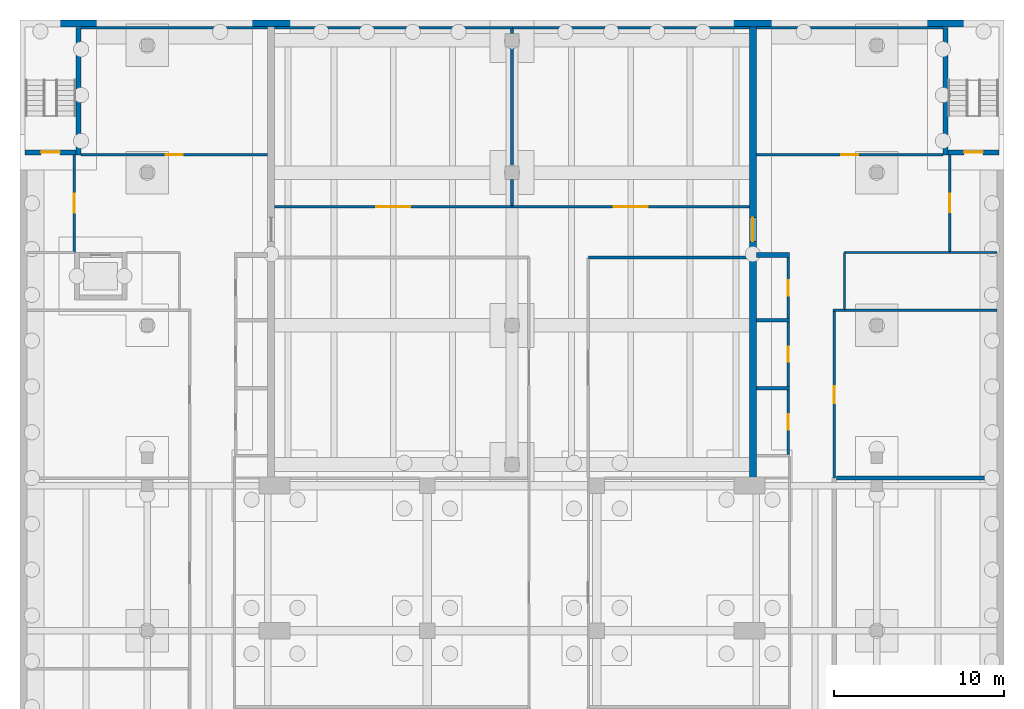
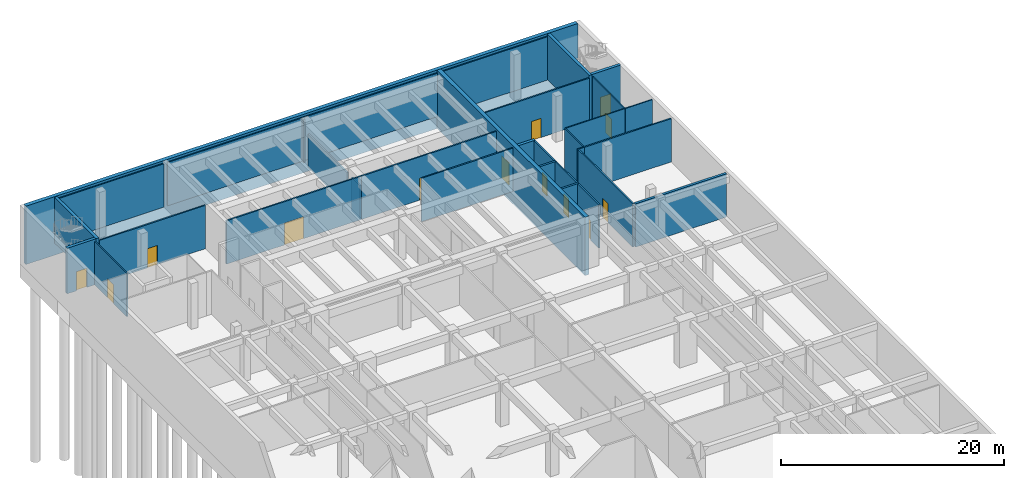
# One storey, part 15 of 19: 33 walls, 13 doors, 13 openings.
"""IFC4 building model written with IfcOpenShell, lengths in metres."""

from ifc_helpers import new_model, si_unit, direction, frame, frame_2d, origin, place, context, subcontext, project, spatial, rectangle, extrude, material, layer, layer_set, type_object, element, fill, save


model = new_model("IFC4")

# Units and contexts
model_context = context("Model", 3, precision=1e-05, world=origin(), true_north=direction((0.0, 1.0)))
body_context = subcontext(model_context, "Body", "Model", "MODEL_VIEW")
ifc_project = project(units=[si_unit("LENGTHUNIT", "METRE"), si_unit("AREAUNIT", "SQUARE_METRE"), si_unit("VOLUMEUNIT", "CUBIC_METRE"), si_unit("PLANEANGLEUNIT", "RADIAN"), si_unit("MASSUNIT", "GRAM", prefix="KILO")], contexts=[model_context])

# Site, building, storey
site_placement = place(None, origin())
site = spatial("IfcSite", under=ifc_project, at=site_placement, CompositionType="ELEMENT")
building_placement = place(site_placement, origin())
building = spatial("IfcBuilding", under=site, at=building_placement, Name="Elmora Arch Market Hall", CompositionType="ELEMENT")
storey_placement = place(building_placement, frame((0.0, 0.0, -10.0)))
storey = spatial("IfcBuildingStorey", under=building, at=storey_placement, Name="B1", CompositionType="ELEMENT", Elevation=-10.0)

# Wall
ifc_material_1 = material(Name="Concrete C40/50", Category="concrete")
ifc_layer_1 = layer(ifc_material_1, 0.39990234375)
ifc_layer_set_1 = layer_set([ifc_layer_1], Name="Concrete C40/50")
wall_type_1 = type_object("IfcWallType", Name="Basement wall 400", PredefinedType="SOLIDWALL", material=ifc_layer_set_1)
wall_1_placement = place(storey_placement, frame((0.39990234375, 125.800048828125, -1.39990234375), z_axis=(0.0, 0.0, 1.0), x_axis=(1.0, 0.0, 0.0)))
element("IfcWall", 1, at=wall_1_placement, inside=storey, type_object=wall_type_1, Name="Basement wall N B1", PredefinedType="SOLIDWALL", context=body_context, shape_type="SweptSolid", body=[
    extrude(rectangle(XDim=57.2001953125, YDim=0.39990234375, at=frame_2d((28.60009765625, 0.0))), origin(), (0.0, 0.0, 1.0), 6.39990234375),
])

# Wall, opening, door
ifc_material_2 = material(Name="Blockwork", Category="masonry")
ifc_layer_2 = layer(ifc_material_2, 0.14990234375)
ifc_layer_set_2 = layer_set([ifc_layer_2], Name="Blockwork")
wall_type_2 = type_object("IfcWallType", Name="Blockwork partition 150 EI 120", PredefinedType="PARTITIONING", material=ifc_layer_set_2)
wall_2_placement = place(storey_placement, frame((45.27490234375, 100.39990234375, 0.0), z_axis=(0.0, 0.0, 1.0), x_axis=(0.0, 1.0, 0.0)))
wall_2 = element("IfcWall", 2, at=wall_2_placement, inside=storey, type_object=wall_type_2, Name="Riser wall B1 18", PredefinedType="PARTITIONING", context=body_context, shape_type="SweptSolid", body=[
    extrude(rectangle(XDim=3.800048828125, YDim=0.14990234375, at=frame_2d((1.89990234375, 0.0))), origin(), (0.0, 0.0, 1.0), 4.75),
])
opening_1_placement = place(wall_2_placement, frame((1.449951171875, 0.0, 0.0)))
opening_1 = element("IfcOpeningElement", 3, at=opening_1_placement, cuts=wall_2, Name="Opening D-B1-031", PredefinedType="OPENING", context=body_context, shape_type="SweptSolid", body=[
    extrude(rectangle(XDim=0.89990234375, YDim=2.10009765625, at=frame_2d((0.449951171875, 1.050048828125))), frame((0.0, 0.0849609375, 0.0), z_axis=(0.0, -1.0, 0.0), x_axis=(1.0, 0.0, 0.0)), (0.0, 0.0, 1.0), 0.169921875),
])
ifc_material_3 = material(Name="Steel ASTM A653 galvanised", Category="steel")
door_type_1 = type_object("IfcDoorType", Name="Door 900 x 2100 FD90", OperationType="SINGLE_SWING_LEFT", PredefinedType="DOOR", material=ifc_material_3)
door_1_placement = place(opening_1_placement, origin())
door_1 = element("IfcDoor", 4, at=door_1_placement, inside=storey, type_object=door_type_1, Name="Riser access door D-B1-031", OperationType="SINGLE_SWING_LEFT", OverallHeight=2.10009765625, OverallWidth=0.89990234375, PredefinedType="DOOR", context=body_context, shape_type="SweptSolid", body=[
    extrude(rectangle(XDim=0.89990234375, YDim=2.10009765625, at=frame_2d((0.449951171875, 1.050048828125))), frame((0.0, 0.02490234375, 0.0), z_axis=(0.0, -1.0, 0.0), x_axis=(1.0, 0.0, 0.0)), (0.0, 0.0, 1.0), 0.050048828125),
])
fill(opening_1, door_1)

wall_3_placement = place(storey_placement, frame((45.27490234375, 104.39990234375, 0.0), z_axis=(0.0, 0.0, 1.0), x_axis=(0.0, 1.0, 0.0)))
wall_3 = element("IfcWall", 5, at=wall_3_placement, inside=storey, type_object=wall_type_2, Name="Riser wall B1 19", PredefinedType="PARTITIONING", context=body_context, shape_type="SweptSolid", body=[
    extrude(rectangle(XDim=3.800048828125, YDim=0.14990234375, at=frame_2d((1.89990234375, 0.0))), origin(), (0.0, 0.0, 1.0), 4.75),
])
opening_2_placement = place(wall_3_placement, frame((1.449951171875, 0.0, 0.0)))
opening_2 = element("IfcOpeningElement", 6, at=opening_2_placement, cuts=wall_3, Name="Opening D-B1-037", PredefinedType="OPENING", context=body_context, shape_type="SweptSolid", body=[
    extrude(rectangle(XDim=0.89990234375, YDim=2.10009765625, at=frame_2d((0.449951171875, 1.050048828125))), frame((0.0, 0.0849609375, 0.0), z_axis=(0.0, -1.0, 0.0), x_axis=(1.0, 0.0, 0.0)), (0.0, 0.0, 1.0), 0.169921875),
])
door_2_placement = place(opening_2_placement, origin())
door_2 = element("IfcDoor", 7, at=door_2_placement, inside=storey, type_object=door_type_1, Name="Riser access door D-B1-037", OperationType="SINGLE_SWING_LEFT", OverallHeight=2.10009765625, OverallWidth=0.89990234375, PredefinedType="DOOR", context=body_context, shape_type="SweptSolid", body=[
    extrude(rectangle(XDim=0.89990234375, YDim=2.10009765625, at=frame_2d((0.449951171875, 1.050048828125))), frame((0.0, 0.02490234375, 0.0), z_axis=(0.0, -1.0, 0.0), x_axis=(1.0, 0.0, 0.0)), (0.0, 0.0, 1.0), 0.050048828125),
])
fill(opening_2, door_2)

wall_4_placement = place(storey_placement, frame((45.27490234375, 108.39990234375, 0.0), z_axis=(0.0, 0.0, 1.0), x_axis=(0.0, 1.0, 0.0)))
wall_4 = element("IfcWall", 8, at=wall_4_placement, inside=storey, type_object=wall_type_2, Name="Riser wall B1 20", PredefinedType="PARTITIONING", context=body_context, shape_type="SweptSolid", body=[
    extrude(rectangle(XDim=3.60009765625, YDim=0.14990234375, at=frame_2d((1.800048828125, 0.0))), origin(), (0.0, 0.0, 1.0), 4.75),
])
opening_3_placement = place(wall_4_placement, frame((1.35009765625, 0.0, 0.0)))
opening_3 = element("IfcOpeningElement", 9, at=opening_3_placement, cuts=wall_4, Name="Opening D-B1-039", PredefinedType="OPENING", context=body_context, shape_type="SweptSolid", body=[
    extrude(rectangle(XDim=0.89990234375, YDim=2.10009765625, at=frame_2d((0.449951171875, 1.050048828125))), frame((0.0, 0.0849609375, 0.0), z_axis=(0.0, -1.0, 0.0), x_axis=(1.0, 0.0, 0.0)), (0.0, 0.0, 1.0), 0.169921875),
])
door_3_placement = place(opening_3_placement, origin())
door_3 = element("IfcDoor", 10, at=door_3_placement, inside=storey, type_object=door_type_1, Name="Riser access door D-B1-039", OperationType="SINGLE_SWING_LEFT", OverallHeight=2.10009765625, OverallWidth=0.89990234375, PredefinedType="DOOR", context=body_context, shape_type="SweptSolid", body=[
    extrude(rectangle(XDim=0.89990234375, YDim=2.10009765625, at=frame_2d((0.449951171875, 1.050048828125))), frame((0.0, 0.02490234375, 0.0), z_axis=(0.0, -1.0, 0.0), x_axis=(1.0, 0.0, 0.0)), (0.0, 0.0, 1.0), 0.050048828125),
])
fill(opening_3, door_3)

# Walls
wall_5_placement = place(storey_placement, frame((47.925048828125, 108.89990234375, 0.0), z_axis=(0.0, 0.0, 1.0), x_axis=(1.0, 0.0, 0.0)))
element("IfcWall", 11, at=wall_5_placement, inside=storey, type_object=wall_type_2, Name="Partition PT-B1-046", PredefinedType="PARTITIONING", context=body_context, shape_type="SweptSolid", body=[
    extrude(rectangle(XDim=0.675048828125, YDim=0.14990234375, at=frame_2d((0.33740234375, 0.0))), origin(), (0.0, 0.0, 1.0), 4.75),
])
wall_6_placement = place(storey_placement, frame((48.60009765625, 108.89990234375, 0.0), z_axis=(0.0, 0.0, 1.0), x_axis=(1.0, 0.0, 0.0)))
element("IfcWall", 12, at=wall_6_placement, inside=storey, type_object=wall_type_2, Name="Partition PT-B1-047", PredefinedType="PARTITIONING", context=body_context, shape_type="SweptSolid", body=[
    extrude(rectangle(XDim=9.0, YDim=0.14990234375, at=frame_2d((4.5, 0.0))), origin(), (0.0, 0.0, 1.0), 4.75),
])
wall_7_placement = place(storey_placement, frame((33.510009765625, 112.0, 0.0), z_axis=(0.0, 0.0, 1.0), x_axis=(1.0, 0.0, 0.0)))
element("IfcWall", 13, at=wall_7_placement, inside=storey, type_object=wall_type_2, Name="Partition PT-B1-049", PredefinedType="PARTITIONING", context=body_context, shape_type="SweptSolid", body=[
    extrude(rectangle(XDim=9.489990234375, YDim=0.14990234375, at=frame_2d((4.7451171875, 0.0))), origin(), (0.0, 0.0, 1.0), 4.75),
])

# Wall, opening, door
wall_8_placement = place(storey_placement, frame((15.0, 115.0, 0.0), z_axis=(0.0, 0.0, 1.0), x_axis=(1.0, 0.0, 0.0)))
wall_8 = element("IfcWall", 14, at=wall_8_placement, inside=storey, type_object=wall_type_2, Name="Partition PT-B1-054", PredefinedType="PARTITIONING", context=body_context, shape_type="SweptSolid", body=[
    extrude(rectangle(XDim=14.0, YDim=0.14990234375, at=frame_2d((7.0, 0.0))), origin(), (0.0, 0.0, 1.0), 4.75),
])
opening_4_placement = place(wall_8_placement, frame((6.0, 0.0, 0.0)))
opening_4 = element("IfcOpeningElement", 15, at=opening_4_placement, cuts=wall_8, Name="Opening D-B1-042", PredefinedType="OPENING", context=body_context, shape_type="SweptSolid", body=[
    extrude(rectangle(XDim=2.0, YDim=2.39990234375, at=frame_2d((1.0, 1.199951171875))), frame((0.0, 0.0849609375, 0.0), z_axis=(0.0, -1.0, 0.0), x_axis=(1.0, 0.0, 0.0)), (0.0, 0.0, 1.0), 0.169921875),
])
ifc_material_4 = material(Name="Steel ASTM A653 galvanised", Category="steel")
door_type_2 = type_object("IfcDoorType", Name="Double door 2000 x 2400 FD90", OperationType="DOUBLE_DOOR_SINGLE_SWING", PredefinedType="DOOR", material=ifc_material_4)
door_4_placement = place(opening_4_placement, origin())
door_4 = element("IfcDoor", 16, at=door_4_placement, inside=storey, type_object=door_type_2, Name="D-B1-042", OperationType="DOUBLE_DOOR_SINGLE_SWING", OverallHeight=2.39990234375, OverallWidth=2.0, PredefinedType="DOOR", context=body_context, shape_type="SweptSolid", body=[
    extrude(rectangle(XDim=2.0, YDim=2.39990234375, at=frame_2d((1.0, 1.199951171875))), frame((0.0, 0.02490234375, 0.0), z_axis=(0.0, -1.0, 0.0), x_axis=(1.0, 0.0, 0.0)), (0.0, 0.0, 1.0), 0.050048828125),
])
fill(opening_4, door_4)

wall_9_placement = place(storey_placement, frame((29.0, 115.0, 0.0), z_axis=(0.0, 0.0, 1.0), x_axis=(1.0, 0.0, 0.0)))
wall_9 = element("IfcWall", 17, at=wall_9_placement, inside=storey, type_object=wall_type_2, Name="Partition PT-B1-055", PredefinedType="PARTITIONING", context=body_context, shape_type="SweptSolid", body=[
    extrude(rectangle(XDim=14.0, YDim=0.14990234375, at=frame_2d((7.0, 0.0))), origin(), (0.0, 0.0, 1.0), 4.75),
])
opening_5_placement = place(wall_9_placement, frame((6.0, 0.0, 0.0)))
opening_5 = element("IfcOpeningElement", 18, at=opening_5_placement, cuts=wall_9, Name="Opening D-B1-043", PredefinedType="OPENING", context=body_context, shape_type="SweptSolid", body=[
    extrude(rectangle(XDim=2.0, YDim=2.39990234375, at=frame_2d((1.0, 1.199951171875))), frame((0.0, 0.0849609375, 0.0), z_axis=(0.0, -1.0, 0.0), x_axis=(1.0, 0.0, 0.0)), (0.0, 0.0, 1.0), 0.169921875),
])
door_5_placement = place(opening_5_placement, origin())
door_5 = element("IfcDoor", 19, at=door_5_placement, inside=storey, type_object=door_type_2, Name="D-B1-043", OperationType="DOUBLE_DOOR_SINGLE_SWING", OverallHeight=2.39990234375, OverallWidth=2.0, PredefinedType="DOOR", context=body_context, shape_type="SweptSolid", body=[
    extrude(rectangle(XDim=2.0, YDim=2.39990234375, at=frame_2d((1.0, 1.199951171875))), frame((0.0, 0.02490234375, 0.0), z_axis=(0.0, -1.0, 0.0), x_axis=(1.0, 0.0, 0.0)), (0.0, 0.0, 1.0), 0.050048828125),
])
fill(opening_5, door_5)

wall_10_placement = place(storey_placement, frame((3.60009765625, 118.050048828125, 0.0), z_axis=(0.0, 0.0, 1.0), x_axis=(1.0, 0.0, 0.0)))
wall_10 = element("IfcWall", 20, at=wall_10_placement, inside=storey, type_object=wall_type_2, Name="Partition PT-B1-056", PredefinedType="PARTITIONING", context=body_context, shape_type="SweptSolid", body=[
    extrude(rectangle(XDim=11.0, YDim=0.14990234375, at=frame_2d((5.5, 0.0))), origin(), (0.0, 0.0, 1.0), 4.75),
])
opening_6_placement = place(wall_10_placement, frame((5.0, 0.0, 0.0)))
opening_6 = element("IfcOpeningElement", 21, at=opening_6_placement, cuts=wall_10, Name="Opening D-B1-046", PredefinedType="OPENING", context=body_context, shape_type="SweptSolid", body=[
    extrude(rectangle(XDim=1.0, YDim=2.10009765625, at=frame_2d((0.5, 1.050048828125))), frame((0.0, 0.0849609375, 0.0), z_axis=(0.0, -1.0, 0.0), x_axis=(1.0, 0.0, 0.0)), (0.0, 0.0, 1.0), 0.169921875),
])
ifc_material_5 = material(Name="Steel ASTM A653 galvanised", Category="steel")
door_type_3 = type_object("IfcDoorType", Name="Door 1000 x 2100 FD90", OperationType="SINGLE_SWING_LEFT", PredefinedType="DOOR", material=ifc_material_5)
door_6_placement = place(opening_6_placement, origin())
door_6 = element("IfcDoor", 22, at=door_6_placement, inside=storey, type_object=door_type_3, Name="D-B1-046", OperationType="SINGLE_SWING_LEFT", OverallHeight=2.10009765625, OverallWidth=1.0, PredefinedType="DOOR", context=body_context, shape_type="SweptSolid", body=[
    extrude(rectangle(XDim=1.0, YDim=2.10009765625, at=frame_2d((0.5, 1.050048828125))), frame((0.0, 0.02490234375, 0.0), z_axis=(0.0, -1.0, 0.0), x_axis=(1.0, 0.0, 0.0)), (0.0, 0.0, 1.0), 0.050048828125),
])
fill(opening_6, door_6)

wall_11_placement = place(storey_placement, frame((43.39990234375, 118.050048828125, 0.0), z_axis=(0.0, 0.0, 1.0), x_axis=(1.0, 0.0, 0.0)))
wall_11 = element("IfcWall", 23, at=wall_11_placement, inside=storey, type_object=wall_type_2, Name="Partition PT-B1-057", PredefinedType="PARTITIONING", context=body_context, shape_type="SweptSolid", body=[
    extrude(rectangle(XDim=11.0, YDim=0.14990234375, at=frame_2d((5.5, 0.0))), origin(), (0.0, 0.0, 1.0), 4.75),
])
opening_7_placement = place(wall_11_placement, frame((5.0, 0.0, 0.0)))
opening_7 = element("IfcOpeningElement", 24, at=opening_7_placement, cuts=wall_11, Name="Opening D-B1-047", PredefinedType="OPENING", context=body_context, shape_type="SweptSolid", body=[
    extrude(rectangle(XDim=1.0, YDim=2.10009765625, at=frame_2d((0.5, 1.050048828125))), frame((0.0, 0.0849609375, 0.0), z_axis=(0.0, -1.0, 0.0), x_axis=(1.0, 0.0, 0.0)), (0.0, 0.0, 1.0), 0.169921875),
])
door_7_placement = place(opening_7_placement, origin())
door_7 = element("IfcDoor", 25, at=door_7_placement, inside=storey, type_object=door_type_3, Name="D-B1-047", OperationType="SINGLE_SWING_LEFT", OverallHeight=2.10009765625, OverallWidth=1.0, PredefinedType="DOOR", context=body_context, shape_type="SweptSolid", body=[
    extrude(rectangle(XDim=1.0, YDim=2.10009765625, at=frame_2d((0.5, 1.050048828125))), frame((0.0, 0.02490234375, 0.0), z_axis=(0.0, -1.0, 0.0), x_axis=(1.0, 0.0, 0.0)), (0.0, 0.0, 1.0), 0.050048828125),
])
fill(opening_7, door_7)

# Walls
wall_12_placement = place(storey_placement, frame((3.60009765625, 125.550048828125, 0.0), z_axis=(0.0, 0.0, 1.0), x_axis=(1.0, 0.0, 0.0)))
element("IfcWall", 26, at=wall_12_placement, inside=storey, type_object=wall_type_2, Name="Partition PT-B1-058", PredefinedType="PARTITIONING", context=body_context, shape_type="SweptSolid", body=[
    extrude(rectangle(XDim=11.0, YDim=0.14990234375, at=frame_2d((5.5, 0.0))), origin(), (0.0, 0.0, 1.0), 4.75),
])
for number, where, z_axis, x_axis, name in (
    (27, (15.0, 125.550048828125, 0.0), (0.0, 0.0, 1.0), (1.0, 0.0, 0.0), "Partition PT-B1-059"),
    (28, (28.969970703125, 125.550048828125, 0.0), (0.0, 0.0, 1.0), (1.0, 0.0, 0.0), "Partition PT-B1-060"),
):
    element("IfcWall", number, at=place(storey_placement, frame(where, z_axis=z_axis, x_axis=x_axis)), inside=storey, type_object=wall_type_2, Name=name, PredefinedType="PARTITIONING", context=body_context, shape_type="SweptSolid", body=[
        extrude(rectangle(XDim=14.030029296875, YDim=0.14990234375, at=frame_2d((7.01513671875, 0.0))), origin(), (0.0, 0.0, 1.0), 4.75),
    ])
wall_13_placement = place(storey_placement, frame((43.39990234375, 125.550048828125, 0.0), z_axis=(0.0, 0.0, 1.0), x_axis=(1.0, 0.0, 0.0)))
element("IfcWall", 29, at=wall_13_placement, inside=storey, type_object=wall_type_2, Name="Partition PT-B1-061", PredefinedType="PARTITIONING", context=body_context, shape_type="SweptSolid", body=[
    extrude(rectangle(XDim=11.0, YDim=0.14990234375, at=frame_2d((5.5, 0.0))), origin(), (0.0, 0.0, 1.0), 4.75),
])
wall_14_placement = place(storey_placement, frame((29.0, 115.074951171875, 0.0), z_axis=(0.0, 0.0, 1.0), x_axis=(0.0, 1.0, 0.0)))
element("IfcWall", 30, at=wall_14_placement, inside=storey, type_object=wall_type_2, Name="Partition PT-B1-083-86", PredefinedType="PARTITIONING", context=body_context, shape_type="SweptSolid", body=[
    extrude(rectangle(XDim=1.525146484375, YDim=0.14990234375, at=frame_2d((0.7626953125, 0.0))), origin(), (0.0, 0.0, 1.0), 3.64990234375),
])
wall_15_placement = place(storey_placement, frame((29.0, 117.39990234375, 0.0), z_axis=(0.0, 0.0, 1.0), x_axis=(0.0, 1.0, 0.0)))
element("IfcWall", 31, at=wall_15_placement, inside=storey, type_object=wall_type_2, Name="Partition PT-B1-083-87", PredefinedType="PARTITIONING", context=body_context, shape_type="SweptSolid", body=[
    extrude(rectangle(XDim=7.0, YDim=0.14990234375, at=frame_2d((3.5, 0.0))), origin(), (0.0, 0.0, 1.0), 3.64990234375),
])
wall_16_placement = place(storey_placement, frame((29.0, 125.199951171875, 0.0), z_axis=(0.0, 0.0, 1.0), x_axis=(0.0, 1.0, 0.0)))
element("IfcWall", 32, at=wall_16_placement, inside=storey, type_object=wall_type_2, Name="Partition PT-B1-083-88", PredefinedType="PARTITIONING", context=body_context, shape_type="SweptSolid", body=[
    extrude(rectangle(XDim=0.275146484375, YDim=0.14990234375, at=frame_2d((0.1376953125, 0.0))), origin(), (0.0, 0.0, 1.0), 4.75),
])

# Wall, opening, door
wall_17_placement = place(storey_placement, frame((48.0, 99.0, 0.0), z_axis=(0.0, 0.0, 1.0), x_axis=(0.0, 1.0, 0.0)))
wall_17 = element("IfcWall", 33, at=wall_17_placement, inside=storey, type_object=wall_type_2, Name="Partition PT-B1-106", PredefinedType="PARTITIONING", context=body_context, shape_type="SweptSolid", body=[
    extrude(rectangle(XDim=9.824951171875, YDim=0.14990234375, at=frame_2d((4.91259765625, 0.0))), origin(), (0.0, 0.0, 1.0), 4.75),
])
opening_8_placement = place(wall_17_placement, frame((4.39990234375, 0.0, 0.0)))
opening_8 = element("IfcOpeningElement", 34, at=opening_8_placement, cuts=wall_17, Name="Opening D-B1-033", PredefinedType="OPENING", context=body_context, shape_type="SweptSolid", body=[
    extrude(rectangle(XDim=1.0, YDim=2.10009765625, at=frame_2d((0.5, 1.050048828125))), frame((0.0, 0.0849609375, 0.0), z_axis=(0.0, -1.0, 0.0), x_axis=(1.0, 0.0, 0.0)), (0.0, 0.0, 1.0), 0.169921875),
])
door_8_placement = place(opening_8_placement, frame((1.0, 0.0, 0.0), z_axis=(0.0, 0.0, 1.0), x_axis=(-1.0, 0.0, 0.0)))
door_8 = element("IfcDoor", 35, at=door_8_placement, inside=storey, type_object=door_type_3, Name="D-B1-033", OperationType="SINGLE_SWING_RIGHT", OverallHeight=2.10009765625, OverallWidth=1.0, PredefinedType="DOOR", context=body_context, shape_type="SweptSolid", body=[
    extrude(rectangle(XDim=1.0, YDim=2.10009765625, at=frame_2d((0.5, 1.050048828125))), frame((0.0, 0.02490234375, 0.0), z_axis=(0.0, -1.0, 0.0), x_axis=(1.0, 0.0, 0.0)), (0.0, 0.0, 1.0), 0.050048828125),
])
fill(opening_8, door_8)

# Walls
ifc_material_6 = material(Name="Blockwork", Category="masonry")
ifc_layer_3 = layer(ifc_material_6, 0.199951171875)
ifc_layer_set_3 = layer_set([ifc_layer_3], Name="Blockwork")
wall_type_3 = type_object("IfcWallType", Name="Blockwork partition 200 EI 120", PredefinedType="PARTITIONING", material=ifc_layer_set_3)
for number, where, z_axis, x_axis, name in (
    (36, (43.39990234375, 104.300048828125, 0.0), (0.0, 0.0, 1.0), (1.0, 0.0, 0.0), "Riser wall B1 15"),
    (37, (43.39990234375, 108.300048828125, 0.0), (0.0, 0.0, 1.0), (1.0, 0.0, 0.0), "Riser wall B1 16"),
):
    element("IfcWall", number, at=place(storey_placement, frame(where, z_axis=z_axis, x_axis=x_axis)), inside=storey, type_object=wall_type_3, Name=name, PredefinedType="PARTITIONING", context=body_context, shape_type="SweptSolid", body=[
        extrude(rectangle(XDim=1.9501953125, YDim=0.199951171875, at=frame_2d((0.97509765625, 0.0))), origin(), (0.0, 0.0, 1.0), 4.75),
    ])
ifc_material_7 = material(Name="Blockwork", Category="masonry")
ifc_layer_4 = layer(ifc_material_7, 0.25)
ifc_layer_set_4 = layer_set([ifc_layer_4], Name="Blockwork")
wall_type_4 = type_object("IfcWallType", Name="Blockwork partition 250 EI 120", PredefinedType="PARTITIONING", material=ifc_layer_set_4)
wall_18_placement = place(storey_placement, frame((48.125, 99.0, 0.0), z_axis=(0.0, 0.0, 1.0), x_axis=(1.0, 0.0, 0.0)))
element("IfcWall", 38, at=wall_18_placement, inside=storey, type_object=wall_type_4, Name="Partition PT-B1-043", PredefinedType="PARTITIONING", context=body_context, shape_type="SweptSolid", body=[
    extrude(rectangle(XDim=9.47509765625, YDim=0.25, at=frame_2d((4.737548828125, 0.0))), origin(), (0.0, 0.0, 1.0), 4.75),
])
ifc_material_8 = material(Name="Blockwork", Category="masonry")
ifc_layer_5 = layer(ifc_material_8, 0.300048828125)
ifc_layer_set_5 = layer_set([ifc_layer_5], Name="Blockwork")
wall_type_5 = type_object("IfcWallType", Name="Blockwork partition 300 EI 120", PredefinedType="PARTITIONING", material=ifc_layer_set_5)
wall_19_placement = place(storey_placement, frame((43.39990234375, 112.14990234375, 0.0), z_axis=(0.0, 0.0, 1.0), x_axis=(1.0, 0.0, 0.0)))
element("IfcWall", 39, at=wall_19_placement, inside=storey, type_object=wall_type_5, Name="Riser wall B1 17", PredefinedType="PARTITIONING", context=body_context, shape_type="SweptSolid", body=[
    extrude(rectangle(XDim=1.9501953125, YDim=0.300048828125, at=frame_2d((0.97509765625, 0.0))), origin(), (0.0, 0.0, 1.0), 4.75),
])
ifc_material_9 = material(Name="Gypsum board on metal studs")
ifc_layer_6 = layer(ifc_material_9, 0.10009765625)
ifc_layer_set_6 = layer_set([ifc_layer_6], Name="Gypsum board on metal studs")
wall_type_6 = type_object("IfcWallType", Name="Partition 100", PredefinedType="PARTITIONING", material=ifc_layer_set_6)
wall_20_placement = place(storey_placement, frame((48.610107421875, 112.300048828125, 0.0), z_axis=(0.0, 0.0, 1.0), x_axis=(1.0, 0.0, 0.0)))
element("IfcWall", 40, at=wall_20_placement, inside=storey, type_object=wall_type_6, Name="Partition PT-B1-052", PredefinedType="PARTITIONING", context=body_context, shape_type="SweptSolid", body=[
    extrude(rectangle(XDim=6.18994140625, YDim=0.10009765625, at=frame_2d((3.094970703125, 0.0))), origin(), (0.0, 0.0, 1.0), 4.75),
])
wall_21_placement = place(storey_placement, frame((48.60009765625, 108.97509765625, 0.0), z_axis=(0.0, 0.0, 1.0), x_axis=(0.0, 1.0, 0.0)))
element("IfcWall", 41, at=wall_21_placement, inside=storey, type_object=wall_type_6, Name="Partition PT-B1-107", PredefinedType="PARTITIONING", context=body_context, shape_type="SweptSolid", body=[
    extrude(rectangle(XDim=3.31494140625, YDim=0.10009765625, at=frame_2d((1.657470703125, 0.0))), origin(), (0.0, 0.0, 1.0), 4.75),
])
ifc_material_10 = material(Name="Gypsum board on metal studs")
ifc_layer_7 = layer(ifc_material_10, 0.125)
ifc_layer_set_7 = layer_set([ifc_layer_7], Name="Gypsum board on metal studs")
wall_type_7 = type_object("IfcWallType", Name="Partition 125 EI 60", PredefinedType="PARTITIONING", material=ifc_layer_set_7)
wall_22_placement = place(storey_placement, frame((54.800048828125, 112.300048828125, 0.0), z_axis=(0.0, 0.0, 1.0), x_axis=(1.0, 0.0, 0.0)))
element("IfcWall", 42, at=wall_22_placement, inside=storey, type_object=wall_type_7, Name="Partition PT-B1-053", PredefinedType="PARTITIONING", context=body_context, shape_type="SweptSolid", body=[
    extrude(rectangle(XDim=2.800048828125, YDim=0.125, at=frame_2d((1.39990234375, 0.0))), origin(), (0.0, 0.0, 1.0), 4.75),
])

# Wall, opening, door
wall_23_placement = place(storey_placement, frame((3.199951171875, 112.300048828125, 0.0), z_axis=(0.0, 0.0, 1.0), x_axis=(0.0, 1.0, 0.0)))
wall_23 = element("IfcWall", 43, at=wall_23_placement, inside=storey, type_object=wall_type_7, Name="Partition PT-B1-062", PredefinedType="PARTITIONING", context=body_context, shape_type="SweptSolid", body=[
    extrude(rectangle(XDim=5.75, YDim=0.125, at=frame_2d((2.875, 0.0))), origin(), (0.0, 0.0, 1.0), 4.75),
])
opening_9_placement = place(wall_23_placement, frame((2.35009765625, 0.0, 0.0)))
opening_9 = element("IfcOpeningElement", 44, at=opening_9_placement, cuts=wall_23, Name="Opening D-B1-044", PredefinedType="OPENING", context=body_context, shape_type="SweptSolid", body=[
    extrude(rectangle(XDim=1.10009765625, YDim=2.10009765625, at=frame_2d((0.550048828125, 1.050048828125))), frame((0.0, 0.072509765625, 0.0), z_axis=(0.0, -1.0, 0.0), x_axis=(1.0, 0.0, 0.0)), (0.0, 0.0, 1.0), 0.14501953125),
])
ifc_material_11 = material(Name="Steel ASTM A653 galvanised", Category="steel")
door_type_4 = type_object("IfcDoorType", Name="Door 1100 x 2100 FD60", OperationType="SINGLE_SWING_LEFT", PredefinedType="DOOR", material=ifc_material_11)
door_9_placement = place(opening_9_placement, origin())
door_9 = element("IfcDoor", 45, at=door_9_placement, inside=storey, type_object=door_type_4, Name="D-B1-044", OperationType="SINGLE_SWING_LEFT", OverallHeight=2.10009765625, OverallWidth=1.10009765625, PredefinedType="DOOR", context=body_context, shape_type="SweptSolid", body=[
    extrude(rectangle(XDim=1.10009765625, YDim=2.10009765625, at=frame_2d((0.550048828125, 1.050048828125))), frame((0.0, 0.02490234375, 0.0), z_axis=(0.0, -1.0, 0.0), x_axis=(1.0, 0.0, 0.0)), (0.0, 0.0, 1.0), 0.050048828125),
])
fill(opening_9, door_9)

wall_24_placement = place(storey_placement, frame((54.800048828125, 112.362548828125, 0.0), z_axis=(0.0, 0.0, 1.0), x_axis=(0.0, 1.0, 0.0)))
wall_24 = element("IfcWall", 46, at=wall_24_placement, inside=storey, type_object=wall_type_7, Name="Partition PT-B1-109", PredefinedType="PARTITIONING", context=body_context, shape_type="SweptSolid", body=[
    extrude(rectangle(XDim=5.6875, YDim=0.125, at=frame_2d((2.84375, 0.0))), origin(), (0.0, 0.0, 1.0), 4.75),
])
opening_10_placement = place(wall_24_placement, frame((2.300048828125, 0.0, 0.0)))
opening_10 = element("IfcOpeningElement", 47, at=opening_10_placement, cuts=wall_24, Name="Opening D-B1-045", PredefinedType="OPENING", context=body_context, shape_type="SweptSolid", body=[
    extrude(rectangle(XDim=1.10009765625, YDim=2.10009765625, at=frame_2d((0.550048828125, 1.050048828125))), frame((0.0, 0.072509765625, 0.0), z_axis=(0.0, -1.0, 0.0), x_axis=(1.0, 0.0, 0.0)), (0.0, 0.0, 1.0), 0.14501953125),
])
door_10_placement = place(opening_10_placement, frame((1.10009765625, 0.0, 0.0), z_axis=(0.0, 0.0, 1.0), x_axis=(-1.0, 0.0, 0.0)))
door_10 = element("IfcDoor", 48, at=door_10_placement, inside=storey, type_object=door_type_4, Name="D-B1-045", OperationType="SINGLE_SWING_LEFT", OverallHeight=2.10009765625, OverallWidth=1.10009765625, PredefinedType="DOOR", context=body_context, shape_type="SweptSolid", body=[
    extrude(rectangle(XDim=1.10009765625, YDim=2.10009765625, at=frame_2d((0.550048828125, 1.050048828125))), frame((0.0, 0.02490234375, 0.0), z_axis=(0.0, -1.0, 0.0), x_axis=(1.0, 0.0, 0.0)), (0.0, 0.0, 1.0), 0.050048828125),
])
fill(opening_10, door_10)

ifc_material_12 = material(Name="Concrete C40/50", Category="concrete")
ifc_layer_8 = layer(ifc_material_12, 0.39990234375)
ifc_layer_set_8 = layer_set([ifc_layer_8], Name="Concrete C40/50")
wall_type_8 = type_object("IfcWallType", Name="Spine wall 400", PredefinedType="SHEAR", material=ifc_layer_set_8)
wall_25_placement = place(storey_placement, frame((43.199951171875, 99.0, -1.39990234375), z_axis=(0.0, 0.0, 1.0), x_axis=(0.0, 1.0, 0.0)))
wall_25 = element("IfcWall", 49, at=wall_25_placement, inside=storey, type_object=wall_type_8, Name="Spine wall E B1", PredefinedType="SHEAR", context=body_context, shape_type="SweptSolid", body=[
    extrude(rectangle(XDim=26.60009765625, YDim=0.39990234375, at=frame_2d((13.300048828125, 0.0))), origin(), (0.0, 0.0, 1.0), 6.39990234375),
])
opening_11_placement = place(wall_25_placement, frame((13.949951171875, 0.0, 1.39990234375)))
opening_11 = element("IfcOpeningElement", 50, at=opening_11_placement, cuts=wall_25, Name="Opening D-B1-041", PredefinedType="OPENING", context=body_context, shape_type="SweptSolid", body=[
    extrude(rectangle(XDim=1.39990234375, YDim=2.39990234375, at=frame_2d((0.699951171875, 1.199951171875))), frame((0.0, 0.2099609375, 0.0), z_axis=(0.0, -1.0, 0.0), x_axis=(1.0, 0.0, 0.0)), (0.0, 0.0, 1.0), 0.419921875),
])
ifc_material_13 = material(Name="Timber door set", Category="wood")
door_type_5 = type_object("IfcDoorType", Name="Door 1400 x 2400", OperationType="SINGLE_SWING_LEFT", PredefinedType="DOOR", material=ifc_material_13)
door_11_placement = place(opening_11_placement, frame((1.39990234375, 0.0, 0.0), z_axis=(0.0, 0.0, 1.0), x_axis=(-1.0, 0.0, 0.0)))
door_11 = element("IfcDoor", 51, at=door_11_placement, inside=storey, type_object=door_type_5, Name="D-B1-041", OperationType="SINGLE_SWING_RIGHT", OverallHeight=2.39990234375, OverallWidth=1.39990234375, PredefinedType="DOOR", context=body_context, shape_type="SweptSolid", body=[
    extrude(rectangle(XDim=1.39990234375, YDim=2.39990234375, at=frame_2d((0.699951171875, 1.199951171875))), frame((0.0, 0.02490234375, 0.0), z_axis=(0.0, -1.0, 0.0), x_axis=(1.0, 0.0, 0.0)), (0.0, 0.0, 1.0), 0.050048828125),
])
fill(opening_11, door_11)

# Wall
ifc_material_14 = material(Name="Concrete C40/50", Category="concrete")
ifc_layer_9 = layer(ifc_material_14, 0.300048828125)
ifc_layer_set_9 = layer_set([ifc_layer_9], Name="Concrete C40/50")
wall_type_9 = type_object("IfcWallType", Name="Stair wall 300", PredefinedType="SHEAR", material=ifc_layer_set_9)
wall_26_placement = place(storey_placement, frame((3.449951171875, 118.050048828125, 0.0), z_axis=(0.0, 0.0, 1.0), x_axis=(0.0, 1.0, 0.0)))
element("IfcWall", 52, at=wall_26_placement, inside=storey, type_object=wall_type_9, Name="Stair wall ST-W E B1", PredefinedType="SHEAR", context=body_context, shape_type="SweptSolid", body=[
    extrude(rectangle(XDim=7.5, YDim=0.300048828125, at=frame_2d((3.75, 0.0))), origin(), (0.0, 0.0, 1.0), 5.0),
])

# Wall, opening, door
wall_27_placement = place(storey_placement, frame((0.300048828125, 118.199951171875, 0.0), z_axis=(0.0, 0.0, 1.0), x_axis=(1.0, 0.0, 0.0)))
wall_27 = element("IfcWall", 53, at=wall_27_placement, inside=storey, type_object=wall_type_9, Name="Stair wall ST-W S B1", PredefinedType="SHEAR", context=body_context, shape_type="SweptSolid", body=[
    extrude(rectangle(XDim=3.0, YDim=0.300048828125, at=frame_2d((1.5, 0.0))), origin(), (0.0, 0.0, 1.0), 5.0),
])
opening_12_placement = place(wall_27_placement, frame((0.949951171875, 0.0, 0.0)))
opening_12 = element("IfcOpeningElement", 54, at=opening_12_placement, cuts=wall_27, Name="Opening ST-W-B1", PredefinedType="OPENING", context=body_context, shape_type="SweptSolid", body=[
    extrude(rectangle(XDim=1.10009765625, YDim=2.10009765625, at=frame_2d((0.550048828125, 1.050048828125))), frame((0.0, 0.159912109375, 0.0), z_axis=(0.0, -1.0, 0.0), x_axis=(1.0, 0.0, 0.0)), (0.0, 0.0, 1.0), 0.320068359375),
])
ifc_material_15 = material(Name="Steel ASTM A653 galvanised", Category="steel")
door_type_6 = type_object("IfcDoorType", Name="Stair door 1100 x 2100 FD90", OperationType="SINGLE_SWING_LEFT", PredefinedType="DOOR", material=ifc_material_15)
door_12_placement = place(opening_12_placement, origin())
door_12 = element("IfcDoor", 55, at=door_12_placement, inside=storey, type_object=door_type_6, Name="Stair door ST-W B1", OperationType="SINGLE_SWING_LEFT", OverallHeight=2.10009765625, OverallWidth=1.10009765625, PredefinedType="DOOR", context=body_context, shape_type="SweptSolid", body=[
    extrude(rectangle(XDim=1.10009765625, YDim=2.10009765625, at=frame_2d((0.550048828125, 1.050048828125))), frame((0.0, 0.02490234375, 0.0), z_axis=(0.0, -1.0, 0.0), x_axis=(1.0, 0.0, 0.0)), (0.0, 0.0, 1.0), 0.050048828125),
])
fill(opening_12, door_12)

wall_28_placement = place(storey_placement, frame((54.699951171875, 118.199951171875, 0.0), z_axis=(0.0, 0.0, 1.0), x_axis=(1.0, 0.0, 0.0)))
wall_28 = element("IfcWall", 56, at=wall_28_placement, inside=storey, type_object=wall_type_9, Name="Stair wall ST-E S B1", PredefinedType="SHEAR", context=body_context, shape_type="SweptSolid", body=[
    extrude(rectangle(XDim=3.0, YDim=0.300048828125, at=frame_2d((1.5, 0.0))), origin(), (0.0, 0.0, 1.0), 5.0),
])
opening_13_placement = place(wall_28_placement, frame((0.949951171875, 0.0, 0.0)))
opening_13 = element("IfcOpeningElement", 57, at=opening_13_placement, cuts=wall_28, Name="Opening ST-E-B1", PredefinedType="OPENING", context=body_context, shape_type="SweptSolid", body=[
    extrude(rectangle(XDim=1.10009765625, YDim=2.10009765625, at=frame_2d((0.550048828125, 1.050048828125))), frame((0.0, 0.159912109375, 0.0), z_axis=(0.0, -1.0, 0.0), x_axis=(1.0, 0.0, 0.0)), (0.0, 0.0, 1.0), 0.320068359375),
])
door_13_placement = place(opening_13_placement, origin())
door_13 = element("IfcDoor", 58, at=door_13_placement, inside=storey, type_object=door_type_6, Name="Stair door ST-E B1", OperationType="SINGLE_SWING_LEFT", OverallHeight=2.10009765625, OverallWidth=1.10009765625, PredefinedType="DOOR", context=body_context, shape_type="SweptSolid", body=[
    extrude(rectangle(XDim=1.10009765625, YDim=2.10009765625, at=frame_2d((0.550048828125, 1.050048828125))), frame((0.0, 0.02490234375, 0.0), z_axis=(0.0, -1.0, 0.0), x_axis=(1.0, 0.0, 0.0)), (0.0, 0.0, 1.0), 0.050048828125),
])
fill(opening_13, door_13)

# Wall
wall_29_placement = place(storey_placement, frame((54.550048828125, 118.050048828125, 0.0), z_axis=(0.0, 0.0, 1.0), x_axis=(0.0, 1.0, 0.0)))
element("IfcWall", 59, at=wall_29_placement, inside=storey, type_object=wall_type_9, Name="Stair wall ST-E W B1", PredefinedType="SHEAR", context=body_context, shape_type="SweptSolid", body=[
    extrude(rectangle(XDim=7.5, YDim=0.300048828125, at=frame_2d((3.75, 0.0))), origin(), (0.0, 0.0, 1.0), 5.0),
])

save(model, "model.ifc")
